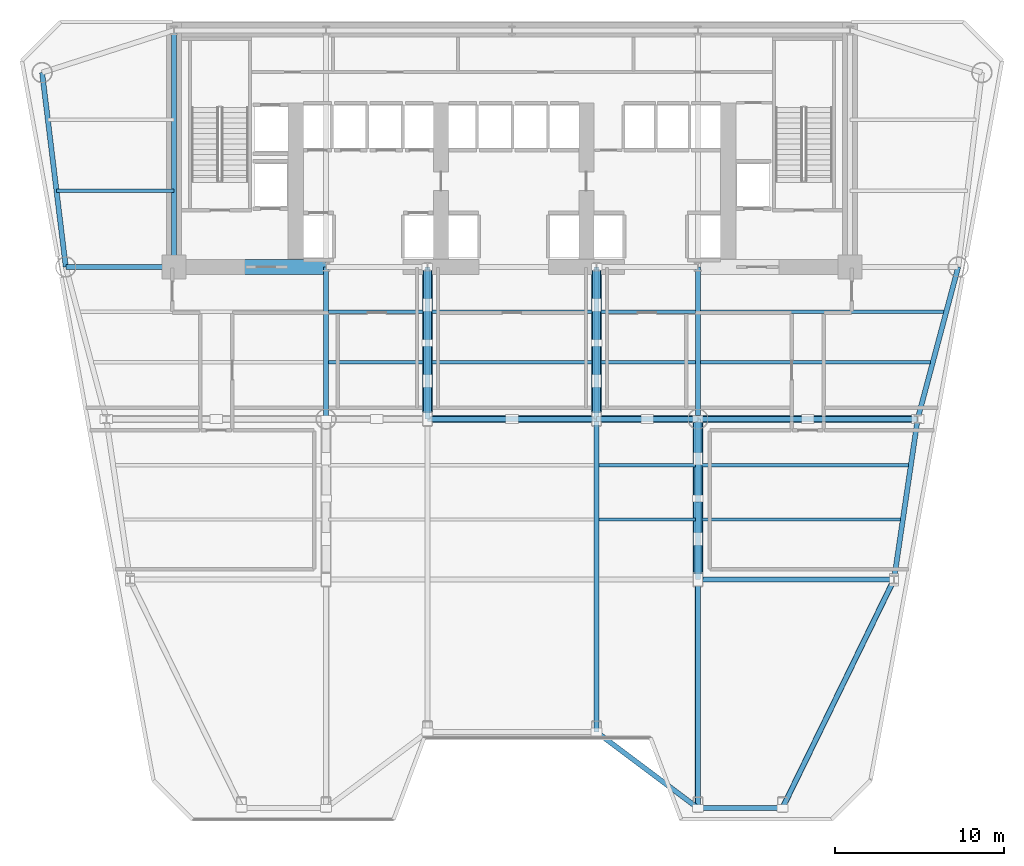
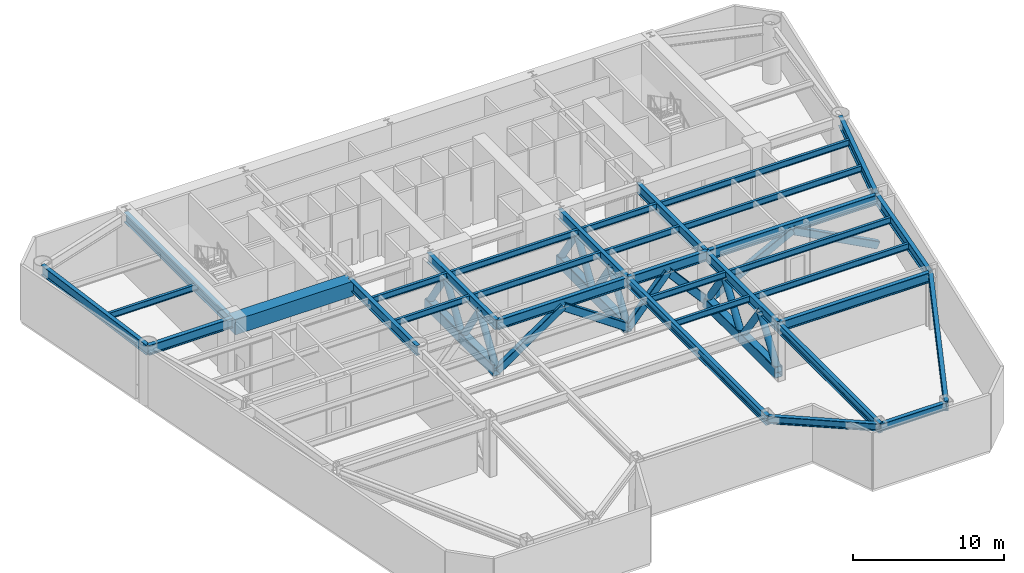
# One storey, part 2 of 10: 33 beams, 27 members.
"""IFC4 building model written with IfcOpenShell, lengths in metres."""

from ifc_helpers import new_model, si_unit, direction, frame, origin, origin_2d, place, context, subcontext, project, spatial, rectangle, hollow_rectangle, hollow_circle, i_section, extrude, source, transform, mapped, material, material_profile, profile_set, type_object, element, save


model = new_model("IFC4")

# Units and contexts
model_context = context("Model", 3, precision=1e-05, world=origin(), true_north=direction((0.0, 1.0)))
body_context = subcontext(model_context, "Body", "Model", "MODEL_VIEW")
ifc_project = project(units=[si_unit("LENGTHUNIT", "METRE"), si_unit("AREAUNIT", "SQUARE_METRE"), si_unit("VOLUMEUNIT", "CUBIC_METRE"), si_unit("PLANEANGLEUNIT", "RADIAN"), si_unit("MASSUNIT", "GRAM", prefix="KILO")], contexts=[model_context])

# Site, building, storey
site_placement = place(None, origin())
site = spatial("IfcSite", under=ifc_project, at=site_placement, CompositionType="ELEMENT")
building_placement = place(site_placement, origin())
building = spatial("IfcBuilding", under=site, at=building_placement, Name="Vaeldorn Concourse Tower", CompositionType="ELEMENT")
storey_placement = place(building_placement, frame((0.0, 0.0, 83.39990234375)))
storey = spatial("IfcBuildingStorey", under=building, at=storey_placement, Name="L21", CompositionType="ELEMENT", Elevation=83.39990234375)

# Beams
ifc_material_1 = material(Name="Concrete C60/75", Category="concrete")
ifc_material_profile_1 = material_profile(ifc_material_1, rectangle(XDim=0.89990234375, YDim=1.199951171875, at=origin_2d()), Name="RC 900x1200")
ifc_profile_set_1 = profile_set([ifc_material_profile_1], Name="Concrete C60/75")
beam_type_1 = type_object("IfcBeamType", Name="BM-CB-RC900", PredefinedType="BEAM", material=ifc_profile_set_1)
shared_shape_1 = source(origin(), body_context, "Body", "SweptSolid", [
    extrude(rectangle(XDim=0.89990234375, YDim=1.199951171875, at=origin_2d()), origin(), (0.0, 0.0, 1.0), 9.0),
])
beam_1_placement = place(storey_placement, frame((14.0, 36.5, 3.940185546875), z_axis=(1.0, 0.0, 0.0), x_axis=(0.0, 1.0, 0.0)))
element("IfcBeam", 1, at=beam_1_placement, inside=storey, type_object=beam_type_1, Name="Core Coupling Beam L21-1", PredefinedType="BEAM", context=body_context, shape_type="MappedRepresentation", body=[
    mapped(shared_shape_1, transform((0.0, 0.0, 0.0), scale=1.0)),
])
ifc_material_2 = material(Name="Steel S355", Category="steel")
ifc_material_profile_2 = material_profile(ifc_material_2, i_section(OverallWidth=0.300048828125, OverallDepth=0.800048828125, WebThickness=0.017578125, FlangeThickness=0.032958984375, FilletRadius=0.030029296875, at=origin_2d()), Name="HEB 800")
ifc_profile_set_2 = profile_set([ifc_material_profile_2], Name="Steel S355")
beam_type_2 = type_object("IfcBeamType", Name="BM-PG-HEB800", PredefinedType="BEAM", material=ifc_profile_set_2)
shared_shape_2 = source(origin(), body_context, "Body", "SweptSolid", [
    extrude(i_section(OverallWidth=0.300048828125, OverallDepth=0.800048828125, WebThickness=0.017578125, FlangeThickness=0.032958984375, FilletRadius=0.030029296875, at=origin_2d()), origin(), (0.0, 0.0, 1.0), 6.0),
])
beam_2_placement = place(storey_placement, frame((39.0, 27.5, 4.14013671875), z_axis=(1.0, 0.0, 0.0), x_axis=(0.0, 1.0, 0.0)))
element("IfcBeam", 2, at=beam_2_placement, inside=storey, type_object=beam_type_2, Name="Beam BM-L21-C-TW3-C-TW4", PredefinedType="BEAM", context=body_context, shape_type="MappedRepresentation", body=[
    mapped(shared_shape_2, transform((0.0, 0.0, 0.0), scale=1.0)),
])
shared_shape_3 = source(origin(), body_context, "Body", "SweptSolid", [
    extrude(i_section(OverallWidth=0.300048828125, OverallDepth=0.800048828125, WebThickness=0.017578125, FlangeThickness=0.032958984375, FilletRadius=0.030029296875, at=origin_2d()), origin(), (0.0, 0.0, 1.0), 10.0),
])
beam_3_placement = place(storey_placement, frame((29.0, 27.5, 4.14013671875), z_axis=(1.0, 0.0, 0.0), x_axis=(0.0, 1.0, 0.0)))
element("IfcBeam", 3, at=beam_3_placement, inside=storey, type_object=beam_type_2, Name="Beam BM-L21-C-TW2-C-TW3", PredefinedType="BEAM", context=body_context, shape_type="MappedRepresentation", body=[
    mapped(shared_shape_3, transform((0.0, 0.0, 0.0), scale=1.0)),
])
shared_shape_4 = source(origin(), body_context, "Body", "SweptSolid", [
    extrude(i_section(OverallWidth=0.300048828125, OverallDepth=0.800048828125, WebThickness=0.017578125, FlangeThickness=0.032958984375, FilletRadius=0.030029296875, at=origin_2d()), origin(), (0.0, 0.0, 1.0), 9.0),
])
for number, where, z_axis, x_axis, name in (
    (4, (23.0, 27.5, 4.14013671875), (0.0, 1.0, 0.0), (-1.0, 0.0, 0.0), "Beam BM-L21-C-TW1-C-FC2"),
    (5, (29.0, 27.5, 4.14013671875), (0.0, 1.0, 0.0), (-1.0, 0.0, 0.0), "Beam BM-L21-C-TW2-C-FC3"),
    (6, (39.0, 27.5, 4.14013671875), (0.0, 1.0, 0.0), (-1.0, 0.0, 0.0), "Beam BM-L21-C-TW3-C-FC4"),
    (7, (45.0, 27.5, 4.14013671875), (0.0, 1.0, 0.0), (-1.0, 0.0, 0.0), "Beam BM-L21-C-TW4-C-FC5"),
):
    element("IfcBeam", number, at=place(storey_placement, frame(where, z_axis=z_axis, x_axis=x_axis)), inside=storey, type_object=beam_type_2, Name=name, PredefinedType="BEAM", context=body_context, shape_type="MappedRepresentation", body=[
        mapped(shared_shape_4, transform((0.0, 0.0, 0.0), scale=1.0)),
    ])
shared_shape_5 = source(origin(), body_context, "Body", "SweptSolid", [
    extrude(i_section(OverallWidth=0.300048828125, OverallDepth=0.800048828125, WebThickness=0.017578125, FlangeThickness=0.032958984375, FilletRadius=0.030029296875, at=origin_2d()), origin(), (0.0, 0.0, 1.0), 14.0),
])
beam_4_placement = place(storey_placement, frame((14.0, 36.5, 4.14013671875), z_axis=(0.0, 1.0, 0.0), x_axis=(-1.0, 0.0, 0.0)))
element("IfcBeam", 8, at=beam_4_placement, inside=storey, type_object=beam_type_2, Name="Beam BM-L21-C-FC1-C-HC1", PredefinedType="BEAM", context=body_context, shape_type="MappedRepresentation", body=[
    mapped(shared_shape_5, transform((0.0, 0.0, 0.0), scale=1.0)),
])
shared_shape_6 = source(origin(), body_context, "Body", "SweptSolid", [
    extrude(i_section(OverallWidth=0.300048828125, OverallDepth=0.800048828125, WebThickness=0.017578125, FlangeThickness=0.032958984375, FilletRadius=0.030029296875, at=origin_2d()), origin(), (0.0, 0.0, 1.0), 11.5849609375),
])
beam_5_placement = place(storey_placement, frame((6.199951171875, 48.0, 4.14013671875), z_axis=(0.120859382899, -0.992669637677, 0.0), x_axis=(0.992669637677, 0.120859382899, 0.0)))
element("IfcBeam", 9, at=beam_5_placement, inside=storey, type_object=beam_type_2, Name="Beam BM-L21-C-NW1-C-NW2", PredefinedType="BEAM", context=body_context, shape_type="MappedRepresentation", body=[
    mapped(shared_shape_6, transform((0.0, 0.0, 0.0), scale=1.0)),
])
shared_shape_7 = source(origin(), body_context, "Body", "SweptSolid", [
    extrude(i_section(OverallWidth=0.300048828125, OverallDepth=0.800048828125, WebThickness=0.017578125, FlangeThickness=0.032958984375, FilletRadius=0.030029296875, at=origin_2d()), origin(), (0.0, 0.0, 1.0), 6.39990234375),
])
beam_6_placement = place(storey_placement, frame((7.60009765625, 36.5, 4.14013671875), z_axis=(1.0, 0.0, 0.0), x_axis=(0.0, 1.0, 0.0)))
element("IfcBeam", 10, at=beam_6_placement, inside=storey, type_object=beam_type_2, Name="Beam BM-L21-C-NW2-C-FC1", PredefinedType="BEAM", context=body_context, shape_type="MappedRepresentation", body=[
    mapped(shared_shape_7, transform((0.0, 0.0, 0.0), scale=1.0)),
])
shared_shape_8 = source(origin(), body_context, "Body", "SweptSolid", [
    extrude(i_section(OverallWidth=0.300048828125, OverallDepth=0.800048828125, WebThickness=0.017578125, FlangeThickness=0.032958984375, FilletRadius=0.030029296875, at=origin_2d()), origin(), (0.0, 0.0, 1.0), 9.314453125),
])
beam_7_placement = place(storey_placement, frame((60.39990234375, 36.5, 4.14013671875), z_axis=(-0.257652862255, -0.966237549763, 0.0), x_axis=(0.966237549763, -0.257652862255, 0.0)))
element("IfcBeam", 11, at=beam_7_placement, inside=storey, type_object=beam_type_2, Name="Beam BM-L21-C-NE2-C-FLE1", PredefinedType="BEAM", context=body_context, shape_type="MappedRepresentation", body=[
    mapped(shared_shape_8, transform((0.0, 0.0, 0.0), scale=1.0)),
])
shared_shape_9 = source(origin(), body_context, "Body", "SweptSolid", [
    extrude(i_section(OverallWidth=0.300048828125, OverallDepth=0.800048828125, WebThickness=0.017578125, FlangeThickness=0.032958984375, FilletRadius=0.030029296875, at=origin_2d()), origin(), (0.0, 0.0, 1.0), 13.0),
])
beam_8_placement = place(storey_placement, frame((45.0, 27.5, 4.14013671875), z_axis=(1.0, 0.0, 0.0), x_axis=(0.0, 1.0, 0.0)))
element("IfcBeam", 12, at=beam_8_placement, inside=storey, type_object=beam_type_2, Name="Beam BM-L21-C-TW4-C-FLE1", PredefinedType="BEAM", context=body_context, shape_type="MappedRepresentation", body=[
    mapped(shared_shape_9, transform((0.0, 0.0, 0.0), scale=1.0)),
])
ifc_material_profile_3 = material_profile(ifc_material_2, i_section(OverallWidth=0.300048828125, OverallDepth=0.60009765625, WebThickness=0.015380859375, FlangeThickness=0.030029296875, FilletRadius=0.027099609375, at=origin_2d()), Name="HEB 600")
ifc_profile_set_3 = profile_set([ifc_material_profile_3], Name="Steel S355")
beam_type_3 = type_object("IfcBeamType", Name="BM-SP-HEB600", PredefinedType="SPANDREL", material=ifc_profile_set_3)
shared_shape_10 = source(origin(), body_context, "Body", "SweptSolid", [
    extrude(i_section(OverallWidth=0.300048828125, OverallDepth=0.60009765625, WebThickness=0.015380859375, FlangeThickness=0.030029296875, FilletRadius=0.027099609375, at=origin_2d()), origin(), (0.0, 0.0, 1.0), 5.0),
])
beam_9_placement = place(storey_placement, frame((45.0, 4.486083984375, 4.239990234375), z_axis=(1.0, 0.0, 0.0), x_axis=(0.0, 1.0, 0.0)))
element("IfcBeam", 13, at=beam_9_placement, inside=storey, type_object=beam_type_3, Name="Beam BM-L21-C-SF5-C-SF6", PredefinedType="SPANDREL", context=body_context, shape_type="MappedRepresentation", body=[
    mapped(shared_shape_10, transform((0.0, 0.0, 0.0), scale=1.0)),
])
shared_shape_11 = source(origin(), body_context, "Body", "SweptSolid", [
    extrude(i_section(OverallWidth=0.300048828125, OverallDepth=0.60009765625, WebThickness=0.015380859375, FlangeThickness=0.030029296875, FilletRadius=0.027099609375, at=origin_2d()), origin(), (0.0, 0.0, 1.0), 7.5),
])
beam_10_placement = place(storey_placement, frame((39.0, 8.986083984375, 4.239990234375), z_axis=(0.8, -0.6, 0.0), x_axis=(0.6, 0.8, 0.0)))
element("IfcBeam", 14, at=beam_10_placement, inside=storey, type_object=beam_type_3, Name="Beam BM-L21-C-SF4-C-SF5", PredefinedType="SPANDREL", context=body_context, shape_type="MappedRepresentation", body=[
    mapped(shared_shape_11, transform((0.0, 0.0, 0.0), scale=1.0)),
])
shared_shape_12 = source(origin(), body_context, "Body", "SweptSolid", [
    extrude(i_section(OverallWidth=0.300048828125, OverallDepth=0.800048828125, WebThickness=0.017578125, FlangeThickness=0.032958984375, FilletRadius=0.030029296875, at=origin_2d()), origin(), (0.0, 0.0, 1.0), 9.6025390625),
])
beam_11_placement = place(storey_placement, frame((58.0, 27.5, 4.14013671875), z_axis=(-0.145783835977, -0.989316467652, 0.0), x_axis=(0.989316467652, -0.145783835977, 0.0)))
element("IfcBeam", 15, at=beam_11_placement, inside=storey, type_object=beam_type_2, Name="Beam BM-L21-C-FLE1-C-FLE2", PredefinedType="BEAM", context=body_context, shape_type="MappedRepresentation", body=[
    mapped(shared_shape_12, transform((0.0, 0.0, 0.0), scale=1.0)),
])
shared_shape_13 = source(origin(), body_context, "Body", "SweptSolid", [
    extrude(i_section(OverallWidth=0.300048828125, OverallDepth=0.800048828125, WebThickness=0.017578125, FlangeThickness=0.032958984375, FilletRadius=0.030029296875, at=origin_2d()), origin(), (0.0, 0.0, 1.0), 11.60009765625),
])
beam_12_placement = place(storey_placement, frame((45.0, 18.0, 4.14013671875), z_axis=(1.0, 0.0, 0.0), x_axis=(0.0, 1.0, 0.0)))
element("IfcBeam", 16, at=beam_12_placement, inside=storey, type_object=beam_type_2, Name="Beam BM-L21-C-TW6-C-FLE2", PredefinedType="BEAM", context=body_context, shape_type="MappedRepresentation", body=[
    mapped(shared_shape_13, transform((0.0, 0.0, 0.0), scale=1.0)),
])
shared_shape_14 = source(origin(), body_context, "Body", "SweptSolid", [
    extrude(i_section(OverallWidth=0.300048828125, OverallDepth=0.800048828125, WebThickness=0.017578125, FlangeThickness=0.032958984375, FilletRadius=0.030029296875, at=origin_2d()), origin(), (0.0, 0.0, 1.0), 9.5),
])
beam_13_placement = place(storey_placement, frame((45.0, 18.0, 4.14013671875), z_axis=(0.0, 1.0, 0.0), x_axis=(-1.0, 0.0, 0.0)))
element("IfcBeam", 17, at=beam_13_placement, inside=storey, type_object=beam_type_2, Name="Beam BM-L21-C-TW6-C-TW4", PredefinedType="BEAM", context=body_context, shape_type="MappedRepresentation", body=[
    mapped(shared_shape_14, transform((0.0, 0.0, 0.0), scale=1.0)),
])
ifc_material_profile_4 = material_profile(ifc_material_2, i_section(OverallWidth=0.199951171875, OverallDepth=0.5, WebThickness=0.01025390625, FlangeThickness=0.01611328125, FilletRadius=0.02099609375, at=origin_2d()), Name="IPE 500")
ifc_profile_set_4 = profile_set([ifc_material_profile_4], Name="Steel S355")
beam_type_4 = type_object("IfcBeamType", Name="BM-JS-IPE500", PredefinedType="JOIST", material=ifc_profile_set_4)
shared_shape_15 = source(origin(), body_context, "Body", "SweptSolid", [
    extrude(i_section(OverallWidth=0.199951171875, OverallDepth=0.5, WebThickness=0.01025390625, FlangeThickness=0.01611328125, FilletRadius=0.02099609375, at=origin_2d()), origin(), (0.0, 0.0, 1.0), 11.82470703125),
])
beam_14_placement = place(storey_placement, frame((45.14990234375, 21.56005859375, 4.2900390625), z_axis=(1.0, 0.0, 0.0), x_axis=(0.0, 1.0, 0.0)))
element("IfcBeam", 18, at=beam_14_placement, inside=storey, type_object=beam_type_4, Name="Beam JS-L21-E1-215", PredefinedType="JOIST", context=body_context, shape_type="MappedRepresentation", body=[
    mapped(shared_shape_15, transform((0.0, 0.0, 0.0), scale=1.0)),
])
shared_shape_16 = source(origin(), body_context, "Body", "SweptSolid", [
    extrude(i_section(OverallWidth=0.199951171875, OverallDepth=0.5, WebThickness=0.01025390625, FlangeThickness=0.01611328125, FilletRadius=0.02099609375, at=origin_2d()), origin(), (0.0, 0.0, 1.0), 5.7001953125),
])
for number, where, z_axis, x_axis, name in (
    (19, (39.14990234375, 21.56005859375, 4.2900390625), (1.0, 0.0, 0.0), (0.0, 1.0, 0.0), "Beam JS-L21-E2-215"),
    (20, (39.14990234375, 24.760009765625, 4.2900390625), (1.0, 0.0, 0.0), (0.0, 1.0, 0.0), "Beam JS-L21-E2-247"),
    (21, (23.14990234375, 30.860107421875, 4.2900390625), (1.0, 0.0, 0.0), (0.0, 1.0, 0.0), "Beam JS-L21-W2-308"),
    (22, (39.14990234375, 30.860107421875, 4.2900390625), (1.0, 0.0, 0.0), (0.0, 1.0, 0.0), "Beam JS-L21-E2-308"),
    (23, (23.14990234375, 33.860107421875, 4.2900390625), (1.0, 0.0, 0.0), (0.0, 1.0, 0.0), "Beam JS-L21-W2-338"),
    (24, (39.14990234375, 33.860107421875, 4.2900390625), (1.0, 0.0, 0.0), (0.0, 1.0, 0.0), "Beam JS-L21-E2-338"),
):
    element("IfcBeam", number, at=place(storey_placement, frame(where, z_axis=z_axis, x_axis=x_axis)), inside=storey, type_object=beam_type_4, Name=name, PredefinedType="JOIST", context=body_context, shape_type="MappedRepresentation", body=[
        mapped(shared_shape_16, transform((0.0, 0.0, 0.0), scale=1.0)),
    ])
shared_shape_17 = source(origin(), body_context, "Body", "SweptSolid", [
    extrude(i_section(OverallWidth=0.199951171875, OverallDepth=0.5, WebThickness=0.01025390625, FlangeThickness=0.01611328125, FilletRadius=0.02099609375, at=origin_2d()), origin(), (0.0, 0.0, 1.0), 9.7001953125),
])
for number, where, z_axis, x_axis, name in (
    (25, (29.14990234375, 30.860107421875, 4.2900390625), (1.0, 0.0, 0.0), (0.0, 1.0, 0.0), "Beam JS-L21-C-308"),
    (26, (29.14990234375, 33.860107421875, 4.2900390625), (1.0, 0.0, 0.0), (0.0, 1.0, 0.0), "Beam JS-L21-C-338"),
):
    element("IfcBeam", number, at=place(storey_placement, frame(where, z_axis=z_axis, x_axis=x_axis)), inside=storey, type_object=beam_type_4, Name=name, PredefinedType="JOIST", context=body_context, shape_type="MappedRepresentation", body=[
        mapped(shared_shape_17, transform((0.0, 0.0, 0.0), scale=1.0)),
    ])
shared_shape_18 = source(origin(), body_context, "Body", "SweptSolid", [
    extrude(i_section(OverallWidth=0.199951171875, OverallDepth=0.5, WebThickness=0.01025390625, FlangeThickness=0.01611328125, FilletRadius=0.02099609375, at=origin_2d()), origin(), (0.0, 0.0, 1.0), 12.29638671875),
])
beam_15_placement = place(storey_placement, frame((45.14990234375, 24.760009765625, 4.2900390625), z_axis=(1.0, 0.0, 0.0), x_axis=(0.0, 1.0, 0.0)))
element("IfcBeam", 27, at=beam_15_placement, inside=storey, type_object=beam_type_4, Name="Beam JS-L21-E1-247", PredefinedType="JOIST", context=body_context, shape_type="MappedRepresentation", body=[
    mapped(shared_shape_18, transform((0.0, 0.0, 0.0), scale=1.0)),
])
shared_shape_19 = source(origin(), body_context, "Body", "SweptSolid", [
    extrude(i_section(OverallWidth=0.199951171875, OverallDepth=0.5, WebThickness=0.01025390625, FlangeThickness=0.01611328125, FilletRadius=0.02099609375, at=origin_2d()), origin(), (0.0, 0.0, 1.0), 13.59619140625),
])
beam_16_placement = place(storey_placement, frame((45.14990234375, 30.860107421875, 4.2900390625), z_axis=(1.0, 0.0, 0.0), x_axis=(0.0, 1.0, 0.0)))
element("IfcBeam", 28, at=beam_16_placement, inside=storey, type_object=beam_type_4, Name="Beam JS-L21-E1-308", PredefinedType="JOIST", context=body_context, shape_type="MappedRepresentation", body=[
    mapped(shared_shape_19, transform((0.0, 0.0, 0.0), scale=1.0)),
])
shared_shape_20 = source(origin(), body_context, "Body", "SweptSolid", [
    extrude(i_section(OverallWidth=0.199951171875, OverallDepth=0.5, WebThickness=0.01025390625, FlangeThickness=0.01611328125, FilletRadius=0.02099609375, at=origin_2d()), origin(), (0.0, 0.0, 1.0), 14.39599609375),
])
beam_17_placement = place(storey_placement, frame((45.14990234375, 33.860107421875, 4.2900390625), z_axis=(1.0, 0.0, 0.0), x_axis=(0.0, 1.0, 0.0)))
element("IfcBeam", 29, at=beam_17_placement, inside=storey, type_object=beam_type_4, Name="Beam JS-L21-E1-338", PredefinedType="JOIST", context=body_context, shape_type="MappedRepresentation", body=[
    mapped(shared_shape_20, transform((0.0, 0.0, 0.0), scale=1.0)),
])
shared_shape_21 = source(origin(), body_context, "Body", "SweptSolid", [
    extrude(i_section(OverallWidth=0.199951171875, OverallDepth=0.5, WebThickness=0.01025390625, FlangeThickness=0.01611328125, FilletRadius=0.02099609375, at=origin_2d()), origin(), (0.0, 0.0, 1.0), 6.94775390625),
])
beam_18_placement = place(storey_placement, frame((7.05224609375, 41.0, 4.2900390625), z_axis=(1.0, 0.0, 0.0), x_axis=(0.0, 1.0, 0.0)))
element("IfcBeam", 30, at=beam_18_placement, inside=storey, type_object=beam_type_4, Name="Beam JS-L21-NW-410", PredefinedType="JOIST", context=body_context, shape_type="MappedRepresentation", body=[
    mapped(shared_shape_21, transform((0.0, 0.0, 0.0), scale=1.0)),
])
shared_shape_22 = source(origin(), body_context, "Body", "SweptSolid", [
    extrude(i_section(OverallWidth=0.300048828125, OverallDepth=0.800048828125, WebThickness=0.017578125, FlangeThickness=0.032958984375, FilletRadius=0.030029296875, at=origin_2d()), origin(), (0.0, 0.0, 1.0), 15.03955078125),
])
beam_19_placement = place(storey_placement, frame((50.0, 4.486083984375, 4.14013671875), z_axis=(0.438850234471, 0.898560221524, 0.0), x_axis=(-0.898560221524, 0.438850234471, 0.0)))
element("IfcBeam", 31, at=beam_19_placement, inside=storey, type_object=beam_type_2, Name="Beam BM-L21-C-SF6-C-FLE2", PredefinedType="BEAM", context=body_context, shape_type="MappedRepresentation", body=[
    mapped(shared_shape_22, transform((0.0, 0.0, 0.0), scale=1.0)),
])
shared_shape_23 = source(origin(), body_context, "Body", "SweptSolid", [
    extrude(i_section(OverallWidth=0.300048828125, OverallDepth=0.800048828125, WebThickness=0.017578125, FlangeThickness=0.032958984375, FilletRadius=0.030029296875, at=origin_2d()), origin(), (0.0, 0.0, 1.0), 13.513916015625),
])
beam_20_placement = place(storey_placement, frame((45.0, 4.486083984375, 4.14013671875), z_axis=(0.0, 1.0, 0.0), x_axis=(-1.0, 0.0, 0.0)))
element("IfcBeam", 32, at=beam_20_placement, inside=storey, type_object=beam_type_2, Name="Beam BM-L21-C-SF5-C-TW6", PredefinedType="BEAM", context=body_context, shape_type="MappedRepresentation", body=[
    mapped(shared_shape_23, transform((0.0, 0.0, 0.0), scale=1.0)),
])
shared_shape_24 = source(origin(), body_context, "Body", "SweptSolid", [
    extrude(i_section(OverallWidth=0.300048828125, OverallDepth=0.800048828125, WebThickness=0.017578125, FlangeThickness=0.032958984375, FilletRadius=0.030029296875, at=origin_2d()), origin(), (0.0, 0.0, 1.0), 18.513916015625),
])
beam_21_placement = place(storey_placement, frame((39.0, 8.986083984375, 4.14013671875), z_axis=(0.0, 1.0, 0.0), x_axis=(-1.0, 0.0, 0.0)))
element("IfcBeam", 33, at=beam_21_placement, inside=storey, type_object=beam_type_2, Name="Beam BM-L21-C-SF4-C-TW3", PredefinedType="BEAM", context=body_context, shape_type="MappedRepresentation", body=[
    mapped(shared_shape_24, transform((0.0, 0.0, 0.0), scale=1.0)),
])

# Members
ifc_material_3 = material(Name="Steel S460", Category="steel")
ifc_material_profile_5 = material_profile(ifc_material_3, hollow_rectangle(XDim=0.60009765625, YDim=0.89990234375, WallThickness=0.0400390625, InnerFilletRadius=0.0400390625, OuterFilletRadius=0.080078125, at=origin_2d()), Name="RHS 900x600x40")
ifc_profile_set_5 = profile_set([ifc_material_profile_5], Name="Steel S460")
member_type_1 = type_object("IfcMemberType", Name="MB-OT-CHORD1", PredefinedType="CHORD", material=ifc_profile_set_5)
shared_shape_25 = source(origin(), body_context, "Body", "SweptSolid", [
    extrude(hollow_rectangle(XDim=0.60009765625, YDim=0.89990234375, WallThickness=0.0400390625, InnerFilletRadius=0.0400390625, OuterFilletRadius=0.080078125, at=origin_2d()), origin(), (0.0, 0.0, 1.0), 4.699951171875),
])
member_1_placement = place(storey_placement, frame((45.0, 27.5, 0.4501953125), z_axis=(0.0, -1.0, 0.0), x_axis=(1.0, 0.0, 0.0)))
element("IfcMember", 34, at=member_1_placement, inside=storey, type_object=member_type_1, Name="Outrigger Bottom Chord L21 OT4.1", PredefinedType="CHORD", context=body_context, shape_type="MappedRepresentation", body=[
    mapped(shared_shape_25, transform((0.0, 0.0, 0.0), scale=1.0)),
])
ifc_material_profile_6 = material_profile(ifc_material_3, hollow_circle(Radius=0.25390625, WallThickness=0.02490234375, at=origin_2d()), Name="CHS 508x25")
ifc_profile_set_6 = profile_set([ifc_material_profile_6], Name="Steel S460")
member_type_2 = type_object("IfcMemberType", Name="MB-OT-DIAG1", PredefinedType="BRACE", material=ifc_profile_set_6)
shared_shape_26 = source(origin(), body_context, "Body", "SweptSolid", [
    extrude(hollow_circle(Radius=0.25390625, WallThickness=0.02490234375, at=origin_2d()), origin(), (0.0, 0.0, 1.0), 4.166015625),
])
for number, where, z_axis, x_axis, name in (
    (35, (45.0, 27.5, 0.4501953125), (0.0, -0.564103947014, 0.82570378282), (1.0, 0.0, 0.0), "Outrigger Truss Diagonal L21 OT4.1A"),
    (36, (45.0, 22.800048828125, 0.4501953125), (0.0, 0.564063990889, 0.82573107861), (-1.0, 0.0, 0.0), "Outrigger Truss Diagonal L21 OT4.1B"),
):
    element("IfcMember", number, at=place(storey_placement, frame(where, z_axis=z_axis, x_axis=x_axis)), inside=storey, type_object=member_type_2, Name=name, PredefinedType="BRACE", context=body_context, shape_type="MappedRepresentation", body=[
        mapped(shared_shape_26, transform((0.0, 0.0, 0.0), scale=1.0)),
    ])
shared_shape_27 = source(origin(), body_context, "Body", "SweptSolid", [
    extrude(hollow_rectangle(XDim=0.60009765625, YDim=0.89990234375, WallThickness=0.0400390625, InnerFilletRadius=0.0400390625, OuterFilletRadius=0.080078125, at=origin_2d()), origin(), (0.0, 0.0, 1.0), 4.800048828125),
])
member_2_placement = place(storey_placement, frame((45.0, 22.800048828125, 0.4501953125), z_axis=(0.0, -1.0, 0.0), x_axis=(1.0, 0.0, 0.0)))
element("IfcMember", 37, at=member_2_placement, inside=storey, type_object=member_type_1, Name="Outrigger Bottom Chord L21 OT4.2", PredefinedType="CHORD", context=body_context, shape_type="MappedRepresentation", body=[
    mapped(shared_shape_27, transform((0.0, 0.0, 0.0), scale=1.0)),
])
shared_shape_28 = source(origin(), body_context, "Body", "SweptSolid", [
    extrude(hollow_circle(Radius=0.25390625, WallThickness=0.02490234375, at=origin_2d()), origin(), (0.0, 0.0, 1.0), 4.194580078125),
])
member_3_placement = place(storey_placement, frame((45.0, 22.800048828125, 0.4501953125), z_axis=(0.0, -0.572211640255, 0.820105992391), x_axis=(1.0, 0.0, 0.0)))
element("IfcMember", 38, at=member_3_placement, inside=storey, type_object=member_type_2, Name="Outrigger Truss Diagonal L21 OT4.2A", PredefinedType="BRACE", context=body_context, shape_type="MappedRepresentation", body=[
    mapped(shared_shape_28, transform((0.0, 0.0, 0.0), scale=1.0)),
])
shared_shape_29 = source(origin(), body_context, "Body", "SweptSolid", [
    extrude(hollow_circle(Radius=0.25390625, WallThickness=0.02490234375, at=origin_2d()), origin(), (0.0, 0.0, 1.0), 4.1943359375),
])
member_4_placement = place(storey_placement, frame((45.0, 18.0, 0.4501953125), z_axis=(0.0, 0.572172491257, 0.820133306389), x_axis=(-1.0, 0.0, 0.0)))
element("IfcMember", 39, at=member_4_placement, inside=storey, type_object=member_type_2, Name="Outrigger Truss Diagonal L21 OT4.2B", PredefinedType="BRACE", context=body_context, shape_type="MappedRepresentation", body=[
    mapped(shared_shape_29, transform((0.0, 0.0, 0.0), scale=1.0)),
])
shared_shape_30 = source(origin(), body_context, "Body", "SweptSolid", [
    extrude(hollow_rectangle(XDim=0.60009765625, YDim=0.89990234375, WallThickness=0.0400390625, InnerFilletRadius=0.0400390625, OuterFilletRadius=0.080078125, at=origin_2d()), origin(), (0.0, 0.0, 1.0), 4.5),
])
for number, where, z_axis, x_axis, name in (
    (40, (29.0, 36.5, 0.4501953125), (0.0, -1.0, 0.0), (1.0, 0.0, 0.0), "Outrigger Bottom Chord L21 OT2.1"),
    (41, (29.0, 32.0, 0.4501953125), (0.0, -1.0, 0.0), (1.0, 0.0, 0.0), "Outrigger Bottom Chord L21 OT2.2"),
    (42, (39.0, 36.5, 0.4501953125), (0.0, -1.0, 0.0), (1.0, 0.0, 0.0), "Outrigger Bottom Chord L21 OT3.1"),
    (43, (39.0, 32.0, 0.4501953125), (0.0, -1.0, 0.0), (1.0, 0.0, 0.0), "Outrigger Bottom Chord L21 OT3.2"),
):
    element("IfcMember", number, at=place(storey_placement, frame(where, z_axis=z_axis, x_axis=x_axis)), inside=storey, type_object=member_type_1, Name=name, PredefinedType="CHORD", context=body_context, shape_type="MappedRepresentation", body=[
        mapped(shared_shape_30, transform((0.0, 0.0, 0.0), scale=1.0)),
    ])
shared_shape_31 = source(origin(), body_context, "Body", "SweptSolid", [
    extrude(hollow_circle(Radius=0.25390625, WallThickness=0.02490234375, at=origin_2d()), origin(), (0.0, 0.0, 1.0), 4.1103515625),
])
for number, where, z_axis, x_axis, name in (
    (44, (29.0, 36.5, 0.4501953125), (0.0, -0.547386980315, 0.836879617258), (1.0, 0.0, 0.0), "Outrigger Truss Diagonal L21 OT2.1A"),
    (45, (29.0, 32.0, 0.4501953125), (0.0, 0.547386980315, 0.836879617258), (-1.0, 0.0, 0.0), "Outrigger Truss Diagonal L21 OT2.1B"),
    (46, (29.0, 32.0, 0.4501953125), (0.0, -0.547386980315, 0.836879617258), (1.0, 0.0, 0.0), "Outrigger Truss Diagonal L21 OT2.2A"),
    (47, (29.0, 27.5, 0.4501953125), (0.0, 0.547386980315, 0.836879617258), (-1.0, 0.0, 0.0), "Outrigger Truss Diagonal L21 OT2.2B"),
    (48, (39.0, 36.5, 0.4501953125), (0.0, -0.547386980315, 0.836879617258), (1.0, 0.0, 0.0), "Outrigger Truss Diagonal L21 OT3.1A"),
    (49, (39.0, 32.0, 0.4501953125), (0.0, 0.547386980315, 0.836879617258), (-1.0, 0.0, 0.0), "Outrigger Truss Diagonal L21 OT3.1B"),
    (50, (39.0, 32.0, 0.4501953125), (0.0, -0.547386980315, 0.836879617258), (1.0, 0.0, 0.0), "Outrigger Truss Diagonal L21 OT3.2A"),
    (51, (39.0, 27.5, 0.4501953125), (0.0, 0.547386980315, 0.836879617258), (-1.0, 0.0, 0.0), "Outrigger Truss Diagonal L21 OT3.2B"),
):
    element("IfcMember", number, at=place(storey_placement, frame(where, z_axis=z_axis, x_axis=x_axis)), inside=storey, type_object=member_type_2, Name=name, PredefinedType="BRACE", context=body_context, shape_type="MappedRepresentation", body=[
        mapped(shared_shape_31, transform((0.0, 0.0, 0.0), scale=1.0)),
    ])
ifc_material_profile_7 = material_profile(ifc_material_3, hollow_rectangle(XDim=0.39990234375, YDim=0.60009765625, WallThickness=0.030029296875, InnerFilletRadius=0.030029296875, OuterFilletRadius=0.06005859375, at=origin_2d()), Name="RHS 600x400x30")
ifc_profile_set_7 = profile_set([ifc_material_profile_7], Name="Steel S460")
member_type_3 = type_object("IfcMemberType", Name="MB-BT-BRACE1", PredefinedType="BRACE", material=ifc_profile_set_7)
shared_shape_32 = source(origin(), body_context, "Body", "SweptSolid", [
    extrude(hollow_rectangle(XDim=0.39990234375, YDim=0.60009765625, WallThickness=0.030029296875, InnerFilletRadius=0.030029296875, OuterFilletRadius=0.06005859375, at=origin_2d()), origin(), (0.0, 0.0, 1.0), 7.354248046875),
])
for number, where, z_axis, x_axis, name in (
    (52, (45.0, 27.5, 0.4501953125), (0.883857352752, 0.0, 0.467756539223), (0.0, 1.0, 0.0), "Belt Truss Chevron Brace L21-5A"),
    (53, (58.0, 27.5, 0.4501953125), (-0.883857352752, 0.0, 0.467756539223), (0.0, -1.0, 0.0), "Belt Truss Chevron Brace L21-5B"),
):
    element("IfcMember", number, at=place(storey_placement, frame(where, z_axis=z_axis, x_axis=x_axis)), inside=storey, type_object=member_type_3, Name=name, PredefinedType="BRACE", context=body_context, shape_type="MappedRepresentation", body=[
        mapped(shared_shape_32, transform((0.0, 0.0, 0.0), scale=1.0)),
    ])
shared_shape_33 = source(origin(), body_context, "Body", "SweptSolid", [
    extrude(hollow_rectangle(XDim=0.39990234375, YDim=0.60009765625, WallThickness=0.030029296875, InnerFilletRadius=0.030029296875, OuterFilletRadius=0.06005859375, at=origin_2d()), origin(), (0.0, 0.0, 1.0), 4.564453125),
])
for number, where, z_axis, x_axis, name in (
    (54, (39.0, 27.5, 0.4501953125), (0.657269221512, 0.0, 0.753655870045), (0.0, 1.0, 0.0), "Belt Truss Chevron Brace L21-4A"),
    (55, (45.0, 27.5, 0.4501953125), (-0.657269221512, 0.0, 0.753655870045), (0.0, -1.0, 0.0), "Belt Truss Chevron Brace L21-4B"),
):
    element("IfcMember", number, at=place(storey_placement, frame(where, z_axis=z_axis, x_axis=x_axis)), inside=storey, type_object=member_type_3, Name=name, PredefinedType="BRACE", context=body_context, shape_type="MappedRepresentation", body=[
        mapped(shared_shape_33, transform((0.0, 0.0, 0.0), scale=1.0)),
    ])
shared_shape_34 = source(origin(), body_context, "Body", "SweptSolid", [
    extrude(hollow_rectangle(XDim=0.39990234375, YDim=0.60009765625, WallThickness=0.030029296875, InnerFilletRadius=0.030029296875, OuterFilletRadius=0.06005859375, at=origin_2d()), origin(), (0.0, 0.0, 1.0), 6.069091796875),
])
for number, where, z_axis, x_axis, name in (
    (56, (29.0, 27.5, 0.4501953125), (0.823854080622, 0.0, 0.566801952928), (0.0, 1.0, 0.0), "Belt Truss Chevron Brace L21-3A"),
    (57, (39.0, 27.5, 0.4501953125), (-0.823854080622, 0.0, 0.566801952928), (0.0, -1.0, 0.0), "Belt Truss Chevron Brace L21-3B"),
):
    element("IfcMember", number, at=place(storey_placement, frame(where, z_axis=z_axis, x_axis=x_axis)), inside=storey, type_object=member_type_3, Name=name, PredefinedType="BRACE", context=body_context, shape_type="MappedRepresentation", body=[
        mapped(shared_shape_34, transform((0.0, 0.0, 0.0), scale=1.0)),
    ])
ifc_material_profile_8 = material_profile(ifc_material_3, hollow_circle(Radius=0.161865234375, WallThickness=0.01611328125, at=origin_2d()), Name="CHS 323.9x16")
ifc_profile_set_8 = profile_set([ifc_material_profile_8], Name="Steel S460")
member_type_4 = type_object("IfcMemberType", Name="MB-KINK-STRUT", PredefinedType="STRUT", material=ifc_profile_set_8)
shared_shape_35 = source(origin(), body_context, "Body", "SweptSolid", [
    extrude(hollow_circle(Radius=0.161865234375, WallThickness=0.01611328125, at=origin_2d()), origin(), (0.0, 0.0, 1.0), 15.03955078125),
])
member_5_placement = place(storey_placement, frame((50.0, 4.486083984375, 4.190185546875), z_axis=(0.438850234471, 0.898560221524, 0.0), x_axis=(-0.898560221524, 0.438850234471, 0.0)))
element("IfcMember", 58, at=member_5_placement, inside=storey, type_object=member_type_4, Name="Accordion Pleat Kink Tie Strut L21-6", PredefinedType="STRUT", context=body_context, shape_type="MappedRepresentation", body=[
    mapped(shared_shape_35, transform((0.0, 0.0, 0.0), scale=1.0)),
])
shared_shape_36 = source(origin(), body_context, "Body", "SweptSolid", [
    extrude(hollow_circle(Radius=0.161865234375, WallThickness=0.01611328125, at=origin_2d()), origin(), (0.0, 0.0, 1.0), 13.513916015625),
])
member_6_placement = place(storey_placement, frame((45.0, 4.486083984375, 4.190185546875), z_axis=(0.0, 1.0, 0.0), x_axis=(-1.0, 0.0, 0.0)))
element("IfcMember", 59, at=member_6_placement, inside=storey, type_object=member_type_4, Name="Accordion Pleat Kink Tie Strut L21-5", PredefinedType="STRUT", context=body_context, shape_type="MappedRepresentation", body=[
    mapped(shared_shape_36, transform((0.0, 0.0, 0.0), scale=1.0)),
])
shared_shape_37 = source(origin(), body_context, "Body", "SweptSolid", [
    extrude(hollow_circle(Radius=0.161865234375, WallThickness=0.01611328125, at=origin_2d()), origin(), (0.0, 0.0, 1.0), 18.513916015625),
])
member_7_placement = place(storey_placement, frame((39.0, 8.986083984375, 4.190185546875), z_axis=(0.0, 1.0, 0.0), x_axis=(-1.0, 0.0, 0.0)))
element("IfcMember", 60, at=member_7_placement, inside=storey, type_object=member_type_4, Name="Accordion Pleat Kink Tie Strut L21-4", PredefinedType="STRUT", context=body_context, shape_type="MappedRepresentation", body=[
    mapped(shared_shape_37, transform((0.0, 0.0, 0.0), scale=1.0)),
])

save(model, "model.ifc")
